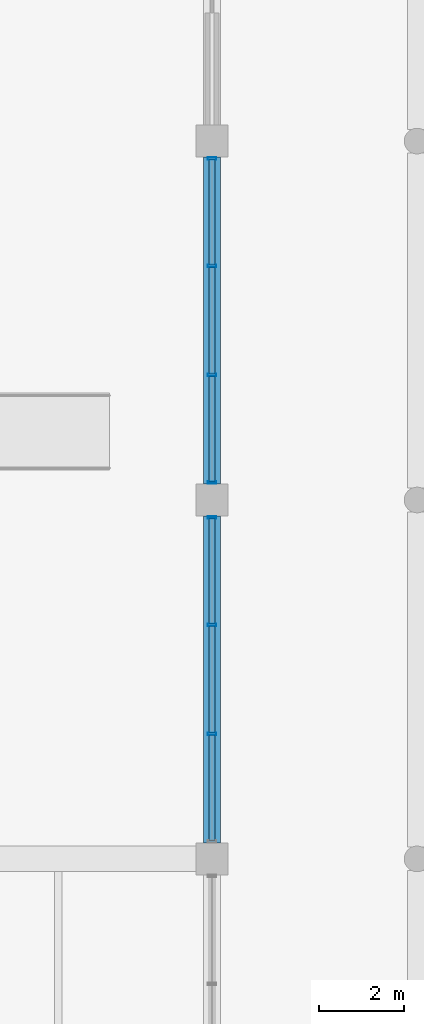
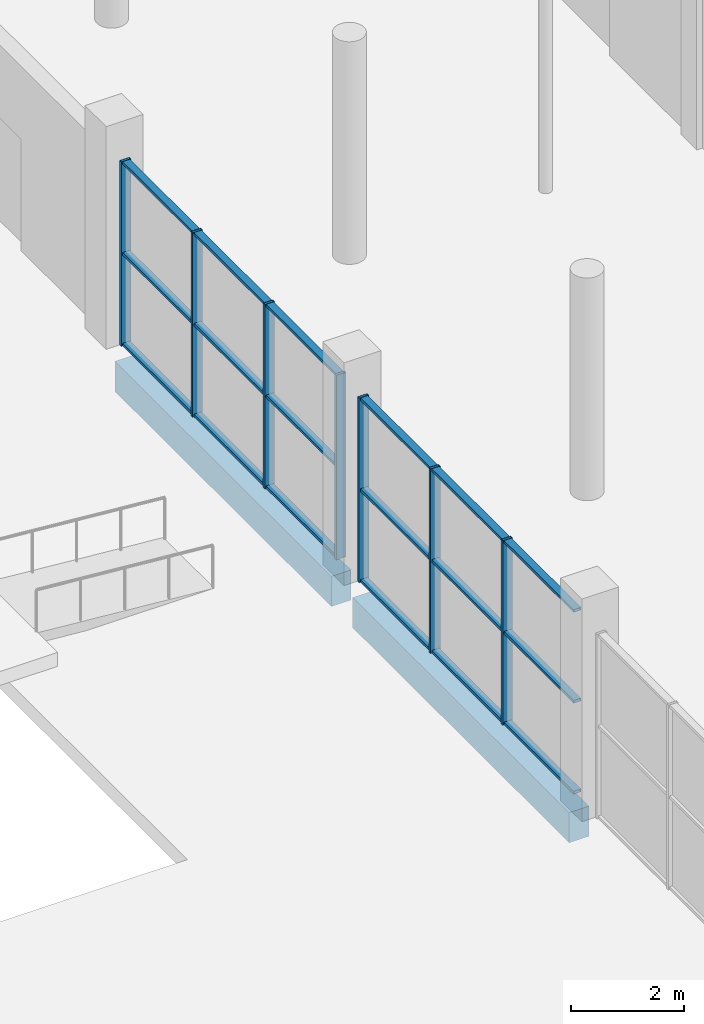
# One storey, part 35 of 130: 25 members, 2 beams, 2 elements without a shape of their own.
"""IFC4 building model written with IfcOpenShell, lengths in metres."""

from ifc_helpers import new_model, si_unit, direction, frame, origin, origin_2d, place, context, subcontext, project, spatial, rectangle, hollow_rectangle, extrude, material, material_profile, profile_set, type_object, element, aggregate, save


model = new_model("IFC4")

# Units and contexts
model_context = context("Model", 3, precision=1e-05, world=origin(), true_north=direction((0.0, 1.0)))
body_context = subcontext(model_context, "Body", "Model", "MODEL_VIEW")
ifc_project = project(units=[si_unit("LENGTHUNIT", "METRE"), si_unit("AREAUNIT", "SQUARE_METRE"), si_unit("VOLUMEUNIT", "CUBIC_METRE"), si_unit("PLANEANGLEUNIT", "RADIAN"), si_unit("MASSUNIT", "GRAM", prefix="KILO"), si_unit("THERMODYNAMICTEMPERATUREUNIT", "KELVIN")], contexts=[model_context])

# Site, building, storey
site_placement = place(None, origin())
site = spatial("IfcSite", under=ifc_project, at=site_placement, CompositionType="ELEMENT")
building_placement = place(site_placement, origin())
building = spatial("IfcBuilding", under=site, at=building_placement, Name="Nduvali Passage Aquatics Centre", CompositionType="ELEMENT")
storey_placement = place(building_placement, origin())
storey = spatial("IfcBuildingStorey", under=building, at=storey_placement, Name="L00", CompositionType="ELEMENT", Elevation=0.0)

# Curtain wall, members
ifc_material_1 = material(Name="Aluminium EN AW-6063 T6", Category="aluminium")
curtain_wall_type = type_object("IfcCurtainWallType", Name="ENV-CW-HALL", PredefinedType="NOTDEFINED", material=ifc_material_1)
curtain_wall_1_placement = place(storey_placement, origin())
curtain_wall_1 = element("IfcCurtainWall", 1, at=curtain_wall_1_placement, inside=storey, type_object=curtain_wall_type, Name="L00 East Passage Pool Hall Lower Glazing 022", PredefinedType="NOTDEFINED")
ifc_material_profile_1 = material_profile(ifc_material_1, hollow_rectangle(XDim=0.06005859375, YDim=0.199951171875, WallThickness=0.00390625, at=origin_2d()), Name="ALU MULLION 60x200x4")
ifc_profile_set_1 = profile_set([ifc_material_profile_1], Name="Aluminium EN AW-6063 T6")
member_type_1 = type_object("IfcMemberType", Name="ENV-MEM-MUL80", PredefinedType="MULLION", material=ifc_profile_set_1)
member_1_placement = place(storey_placement, frame((126.0, 44.925048828125, 0.0), z_axis=(0.0, 0.0, 1.0), x_axis=(0.0, 1.0, 0.0)))
member_1 = element("IfcMember", 2, at=member_1_placement, type_object=member_type_1, Name="East Passage Pool Hall Lower Glazing Mullion 2", PredefinedType="MULLION", context=body_context, shape_type="SweptSolid", body=[
    extrude(hollow_rectangle(XDim=0.06005859375, YDim=0.199951171875, WallThickness=0.00390625, at=origin_2d()), origin(), (0.0, 0.0, 1.0), 3.976318359375),
])
member_2_placement = place(storey_placement, frame((126.0, 47.47509765625, 0.0), z_axis=(0.0, 0.0, 1.0), x_axis=(0.0, 1.0, 0.0)))
member_2 = element("IfcMember", 3, at=member_2_placement, type_object=member_type_1, Name="East Passage Pool Hall Lower Glazing Mullion 3", PredefinedType="MULLION", context=body_context, shape_type="SweptSolid", body=[
    extrude(hollow_rectangle(XDim=0.06005859375, YDim=0.199951171875, WallThickness=0.00390625, at=origin_2d()), origin(), (0.0, 0.0, 1.0), 3.976318359375),
])
member_3_placement = place(storey_placement, frame((126.0, 49.9951171875, 0.0), z_axis=(0.0, 0.0, 1.0), x_axis=(0.0, 1.0, 0.0)))
member_3 = element("IfcMember", 4, at=member_3_placement, type_object=member_type_1, Name="East Passage Pool Hall Lower Glazing Mullion 4", PredefinedType="MULLION", context=body_context, shape_type="SweptSolid", body=[
    extrude(hollow_rectangle(XDim=0.06005859375, YDim=0.199951171875, WallThickness=0.00390625, at=origin_2d()), origin(), (0.0, 0.0, 1.0), 3.976318359375),
])

curtain_wall_2_placement = place(storey_placement, origin())
curtain_wall_2 = element("IfcCurtainWall", 5, at=curtain_wall_2_placement, inside=storey, type_object=curtain_wall_type, Name="L00 East Passage Pool Hall Lower Glazing 026", PredefinedType="NOTDEFINED")
member_4_placement = place(storey_placement, frame((126.0, 50.804931640625, 0.0), z_axis=(0.0, 0.0, 1.0), x_axis=(0.0, 1.0, 0.0)))
member_4 = element("IfcMember", 6, at=member_4_placement, type_object=member_type_1, Name="East Passage Pool Hall Lower Glazing Mullion 1", PredefinedType="MULLION", context=body_context, shape_type="SweptSolid", body=[
    extrude(hollow_rectangle(XDim=0.06005859375, YDim=0.199951171875, WallThickness=0.00390625, at=origin_2d()), origin(), (0.0, 0.0, 1.0), 3.976318359375),
])
member_5_placement = place(storey_placement, frame((126.0, 53.324951171875, 0.0), z_axis=(0.0, 0.0, 1.0), x_axis=(0.0, 1.0, 0.0)))
member_5 = element("IfcMember", 7, at=member_5_placement, type_object=member_type_1, Name="East Passage Pool Hall Lower Glazing Mullion 2", PredefinedType="MULLION", context=body_context, shape_type="SweptSolid", body=[
    extrude(hollow_rectangle(XDim=0.06005859375, YDim=0.199951171875, WallThickness=0.00390625, at=origin_2d()), origin(), (0.0, 0.0, 1.0), 3.976318359375),
])
member_6_placement = place(storey_placement, frame((126.0, 55.875, 0.0), z_axis=(0.0, 0.0, 1.0), x_axis=(0.0, 1.0, 0.0)))
member_6 = element("IfcMember", 8, at=member_6_placement, type_object=member_type_1, Name="East Passage Pool Hall Lower Glazing Mullion 3", PredefinedType="MULLION", context=body_context, shape_type="SweptSolid", body=[
    extrude(hollow_rectangle(XDim=0.06005859375, YDim=0.199951171875, WallThickness=0.00390625, at=origin_2d()), origin(), (0.0, 0.0, 1.0), 3.976318359375),
])
member_7_placement = place(storey_placement, frame((126.0, 58.39501953125, 0.0), z_axis=(0.0, 0.0, 1.0), x_axis=(0.0, 1.0, 0.0)))
member_7 = element("IfcMember", 9, at=member_7_placement, type_object=member_type_1, Name="East Passage Pool Hall Lower Glazing Mullion 4", PredefinedType="MULLION", context=body_context, shape_type="SweptSolid", body=[
    extrude(hollow_rectangle(XDim=0.06005859375, YDim=0.199951171875, WallThickness=0.00390625, at=origin_2d()), origin(), (0.0, 0.0, 1.0), 3.976318359375),
])

# Member
ifc_material_profile_2 = material_profile(ifc_material_1, hollow_rectangle(XDim=0.14990234375, YDim=0.06005859375, WallThickness=0.00390625, at=origin_2d()), Name="ALU TRANSOM 150x60x4")
ifc_profile_set_2 = profile_set([ifc_material_profile_2], Name="Aluminium EN AW-6063 T6")
member_type_2 = type_object("IfcMemberType", Name="ENV-MEM-TRN80", PredefinedType="USERDEFINED", material=ifc_profile_set_2)
member_8_placement = place(storey_placement, frame((126.0, 42.43505859375, 0.030029296875), z_axis=(0.0, 1.0, 0.0), x_axis=(-1.0, 0.0, 0.0)))
member_8 = element("IfcMember", 10, at=member_8_placement, type_object=member_type_2, Name="East Passage Pool Hall Lower Glazing Transom B1-R0", ObjectType="TRANSOM", PredefinedType="USERDEFINED", context=body_context, shape_type="SweptSolid", body=[
    extrude(hollow_rectangle(XDim=0.14990234375, YDim=0.06005859375, WallThickness=0.00390625, at=origin_2d()), origin(), (0.0, 0.0, 1.0), 2.4599609375),
])

member_9_placement = place(storey_placement, frame((126.0, 42.43505859375, 1.98828125), z_axis=(0.0, 1.0, 0.0), x_axis=(-1.0, 0.0, 0.0)))
member_9 = element("IfcMember", 11, at=member_9_placement, type_object=member_type_2, Name="East Passage Pool Hall Lower Glazing Transom B1-R1", ObjectType="TRANSOM", PredefinedType="USERDEFINED", context=body_context, shape_type="SweptSolid", body=[
    extrude(hollow_rectangle(XDim=0.14990234375, YDim=0.06005859375, WallThickness=0.00390625, at=origin_2d()), origin(), (0.0, 0.0, 1.0), 2.4599609375),
])

member_10_placement = place(storey_placement, frame((126.0, 42.43505859375, 3.9462890625), z_axis=(0.0, 1.0, 0.0), x_axis=(-1.0, 0.0, 0.0)))
member_10 = element("IfcMember", 12, at=member_10_placement, type_object=member_type_2, Name="East Passage Pool Hall Lower Glazing Transom B1-R2", ObjectType="TRANSOM", PredefinedType="USERDEFINED", context=body_context, shape_type="SweptSolid", body=[
    extrude(hollow_rectangle(XDim=0.14990234375, YDim=0.06005859375, WallThickness=0.00390625, at=origin_2d()), origin(), (0.0, 0.0, 1.0), 2.4599609375),
])

member_11_placement = place(storey_placement, frame((126.0, 44.955078125, 0.030029296875), z_axis=(0.0, 1.0, 0.0), x_axis=(-1.0, 0.0, 0.0)))
member_11 = element("IfcMember", 13, at=member_11_placement, type_object=member_type_2, Name="East Passage Pool Hall Lower Glazing Transom B2-R0", ObjectType="TRANSOM", PredefinedType="USERDEFINED", context=body_context, shape_type="SweptSolid", body=[
    extrude(hollow_rectangle(XDim=0.14990234375, YDim=0.06005859375, WallThickness=0.00390625, at=origin_2d()), origin(), (0.0, 0.0, 1.0), 2.489990234375),
])

member_12_placement = place(storey_placement, frame((126.0, 44.955078125, 1.98828125), z_axis=(0.0, 1.0, 0.0), x_axis=(-1.0, 0.0, 0.0)))
member_12 = element("IfcMember", 14, at=member_12_placement, type_object=member_type_2, Name="East Passage Pool Hall Lower Glazing Transom B2-R1", ObjectType="TRANSOM", PredefinedType="USERDEFINED", context=body_context, shape_type="SweptSolid", body=[
    extrude(hollow_rectangle(XDim=0.14990234375, YDim=0.06005859375, WallThickness=0.00390625, at=origin_2d()), origin(), (0.0, 0.0, 1.0), 2.489990234375),
])

member_13_placement = place(storey_placement, frame((126.0, 44.955078125, 3.9462890625), z_axis=(0.0, 1.0, 0.0), x_axis=(-1.0, 0.0, 0.0)))
member_13 = element("IfcMember", 15, at=member_13_placement, type_object=member_type_2, Name="East Passage Pool Hall Lower Glazing Transom B2-R2", ObjectType="TRANSOM", PredefinedType="USERDEFINED", context=body_context, shape_type="SweptSolid", body=[
    extrude(hollow_rectangle(XDim=0.14990234375, YDim=0.06005859375, WallThickness=0.00390625, at=origin_2d()), origin(), (0.0, 0.0, 1.0), 2.489990234375),
])

member_14_placement = place(storey_placement, frame((126.0, 47.5048828125, 0.030029296875), z_axis=(0.0, 1.0, 0.0), x_axis=(-1.0, 0.0, 0.0)))
member_14 = element("IfcMember", 16, at=member_14_placement, type_object=member_type_2, Name="East Passage Pool Hall Lower Glazing Transom B3-R0", ObjectType="TRANSOM", PredefinedType="USERDEFINED", context=body_context, shape_type="SweptSolid", body=[
    extrude(hollow_rectangle(XDim=0.14990234375, YDim=0.06005859375, WallThickness=0.00390625, at=origin_2d()), origin(), (0.0, 0.0, 1.0), 2.460205078125),
])

member_15_placement = place(storey_placement, frame((126.0, 47.5048828125, 1.98828125), z_axis=(0.0, 1.0, 0.0), x_axis=(-1.0, 0.0, 0.0)))
member_15 = element("IfcMember", 17, at=member_15_placement, type_object=member_type_2, Name="East Passage Pool Hall Lower Glazing Transom B3-R1", ObjectType="TRANSOM", PredefinedType="USERDEFINED", context=body_context, shape_type="SweptSolid", body=[
    extrude(hollow_rectangle(XDim=0.14990234375, YDim=0.06005859375, WallThickness=0.00390625, at=origin_2d()), origin(), (0.0, 0.0, 1.0), 2.460205078125),
])

member_16_placement = place(storey_placement, frame((126.0, 47.5048828125, 3.9462890625), z_axis=(0.0, 1.0, 0.0), x_axis=(-1.0, 0.0, 0.0)))
member_16 = element("IfcMember", 18, at=member_16_placement, type_object=member_type_2, Name="East Passage Pool Hall Lower Glazing Transom B3-R2", ObjectType="TRANSOM", PredefinedType="USERDEFINED", context=body_context, shape_type="SweptSolid", body=[
    extrude(hollow_rectangle(XDim=0.14990234375, YDim=0.06005859375, WallThickness=0.00390625, at=origin_2d()), origin(), (0.0, 0.0, 1.0), 2.460205078125),
])

aggregate(curtain_wall_1, [member_1, member_2, member_3, member_8, member_9, member_10, member_11, member_12, member_13, member_14, member_15, member_16])

member_17_placement = place(storey_placement, frame((126.0, 50.8349609375, 0.030029296875), z_axis=(0.0, 1.0, 0.0), x_axis=(-1.0, 0.0, 0.0)))
member_17 = element("IfcMember", 19, at=member_17_placement, type_object=member_type_2, Name="East Passage Pool Hall Lower Glazing Transom B1-R0", ObjectType="TRANSOM", PredefinedType="USERDEFINED", context=body_context, shape_type="SweptSolid", body=[
    extrude(hollow_rectangle(XDim=0.14990234375, YDim=0.06005859375, WallThickness=0.00390625, at=origin_2d()), origin(), (0.0, 0.0, 1.0), 2.4599609375),
])

member_18_placement = place(storey_placement, frame((126.0, 50.8349609375, 1.98828125), z_axis=(0.0, 1.0, 0.0), x_axis=(-1.0, 0.0, 0.0)))
member_18 = element("IfcMember", 20, at=member_18_placement, type_object=member_type_2, Name="East Passage Pool Hall Lower Glazing Transom B1-R1", ObjectType="TRANSOM", PredefinedType="USERDEFINED", context=body_context, shape_type="SweptSolid", body=[
    extrude(hollow_rectangle(XDim=0.14990234375, YDim=0.06005859375, WallThickness=0.00390625, at=origin_2d()), origin(), (0.0, 0.0, 1.0), 2.4599609375),
])

member_19_placement = place(storey_placement, frame((126.0, 50.8349609375, 3.9462890625), z_axis=(0.0, 1.0, 0.0), x_axis=(-1.0, 0.0, 0.0)))
member_19 = element("IfcMember", 21, at=member_19_placement, type_object=member_type_2, Name="East Passage Pool Hall Lower Glazing Transom B1-R2", ObjectType="TRANSOM", PredefinedType="USERDEFINED", context=body_context, shape_type="SweptSolid", body=[
    extrude(hollow_rectangle(XDim=0.14990234375, YDim=0.06005859375, WallThickness=0.00390625, at=origin_2d()), origin(), (0.0, 0.0, 1.0), 2.4599609375),
])

member_20_placement = place(storey_placement, frame((126.0, 53.35498046875, 0.030029296875), z_axis=(0.0, 1.0, 0.0), x_axis=(-1.0, 0.0, 0.0)))
member_20 = element("IfcMember", 22, at=member_20_placement, type_object=member_type_2, Name="East Passage Pool Hall Lower Glazing Transom B2-R0", ObjectType="TRANSOM", PredefinedType="USERDEFINED", context=body_context, shape_type="SweptSolid", body=[
    extrude(hollow_rectangle(XDim=0.14990234375, YDim=0.06005859375, WallThickness=0.00390625, at=origin_2d()), origin(), (0.0, 0.0, 1.0), 2.489990234375),
])

member_21_placement = place(storey_placement, frame((126.0, 53.35498046875, 1.98828125), z_axis=(0.0, 1.0, 0.0), x_axis=(-1.0, 0.0, 0.0)))
member_21 = element("IfcMember", 23, at=member_21_placement, type_object=member_type_2, Name="East Passage Pool Hall Lower Glazing Transom B2-R1", ObjectType="TRANSOM", PredefinedType="USERDEFINED", context=body_context, shape_type="SweptSolid", body=[
    extrude(hollow_rectangle(XDim=0.14990234375, YDim=0.06005859375, WallThickness=0.00390625, at=origin_2d()), origin(), (0.0, 0.0, 1.0), 2.489990234375),
])

member_22_placement = place(storey_placement, frame((126.0, 53.35498046875, 3.9462890625), z_axis=(0.0, 1.0, 0.0), x_axis=(-1.0, 0.0, 0.0)))
member_22 = element("IfcMember", 24, at=member_22_placement, type_object=member_type_2, Name="East Passage Pool Hall Lower Glazing Transom B2-R2", ObjectType="TRANSOM", PredefinedType="USERDEFINED", context=body_context, shape_type="SweptSolid", body=[
    extrude(hollow_rectangle(XDim=0.14990234375, YDim=0.06005859375, WallThickness=0.00390625, at=origin_2d()), origin(), (0.0, 0.0, 1.0), 2.489990234375),
])

member_23_placement = place(storey_placement, frame((126.0, 55.905029296875, 0.030029296875), z_axis=(0.0, 1.0, 0.0), x_axis=(-1.0, 0.0, 0.0)))
member_23 = element("IfcMember", 25, at=member_23_placement, type_object=member_type_2, Name="East Passage Pool Hall Lower Glazing Transom B3-R0", ObjectType="TRANSOM", PredefinedType="USERDEFINED", context=body_context, shape_type="SweptSolid", body=[
    extrude(hollow_rectangle(XDim=0.14990234375, YDim=0.06005859375, WallThickness=0.00390625, at=origin_2d()), origin(), (0.0, 0.0, 1.0), 2.4599609375),
])

member_24_placement = place(storey_placement, frame((126.0, 55.905029296875, 1.98828125), z_axis=(0.0, 1.0, 0.0), x_axis=(-1.0, 0.0, 0.0)))
member_24 = element("IfcMember", 26, at=member_24_placement, type_object=member_type_2, Name="East Passage Pool Hall Lower Glazing Transom B3-R1", ObjectType="TRANSOM", PredefinedType="USERDEFINED", context=body_context, shape_type="SweptSolid", body=[
    extrude(hollow_rectangle(XDim=0.14990234375, YDim=0.06005859375, WallThickness=0.00390625, at=origin_2d()), origin(), (0.0, 0.0, 1.0), 2.4599609375),
])

member_25_placement = place(storey_placement, frame((126.0, 55.905029296875, 3.9462890625), z_axis=(0.0, 1.0, 0.0), x_axis=(-1.0, 0.0, 0.0)))
member_25 = element("IfcMember", 27, at=member_25_placement, type_object=member_type_2, Name="East Passage Pool Hall Lower Glazing Transom B3-R2", ObjectType="TRANSOM", PredefinedType="USERDEFINED", context=body_context, shape_type="SweptSolid", body=[
    extrude(hollow_rectangle(XDim=0.14990234375, YDim=0.06005859375, WallThickness=0.00390625, at=origin_2d()), origin(), (0.0, 0.0, 1.0), 2.4599609375),
])

aggregate(curtain_wall_2, [member_4, member_5, member_6, member_7, member_17, member_18, member_19, member_20, member_21, member_22, member_23, member_24, member_25])

# Beams
ifc_material_2 = material(Name="Concrete C40/50", Category="concrete")
ifc_material_profile_3 = material_profile(ifc_material_2, rectangle(XDim=0.39990234375, YDim=0.64990234375, at=origin_2d()), Name="RC 400x650")
ifc_profile_set_3 = profile_set([ifc_material_profile_3], Name="Concrete C40/50")
beam_type = type_object("IfcBeamType", Name="STR-SPN-RC4065-EXT", PredefinedType="SPANDREL", material=ifc_profile_set_3)
beam_1_placement = place(storey_placement, frame((126.0, 42.375, -0.64501953125), z_axis=(0.0, 1.0, 0.0), x_axis=(-1.0, 0.0, 0.0)))
element("IfcBeam", 28, at=beam_1_placement, inside=storey, type_object=beam_type, Name="L00 Primary Y-Girder SP1E-0192", PredefinedType="SPANDREL", context=body_context, shape_type="SweptSolid", body=[
    extrude(rectangle(XDim=0.39990234375, YDim=0.64990234375, at=origin_2d()), origin(), (0.0, 0.0, 1.0), 7.64990234375),
])
beam_2_placement = place(storey_placement, frame((126.0, 50.77490234375, -0.64501953125), z_axis=(0.0, 1.0, 0.0), x_axis=(-1.0, 0.0, 0.0)))
element("IfcBeam", 29, at=beam_2_placement, inside=storey, type_object=beam_type, Name="L00 Primary Y-Girder SP1E-0193", PredefinedType="SPANDREL", context=body_context, shape_type="SweptSolid", body=[
    extrude(rectangle(XDim=0.39990234375, YDim=0.64990234375, at=origin_2d()), origin(), (0.0, 0.0, 1.0), 7.650146484375),
])

save(model, "model.ifc")
